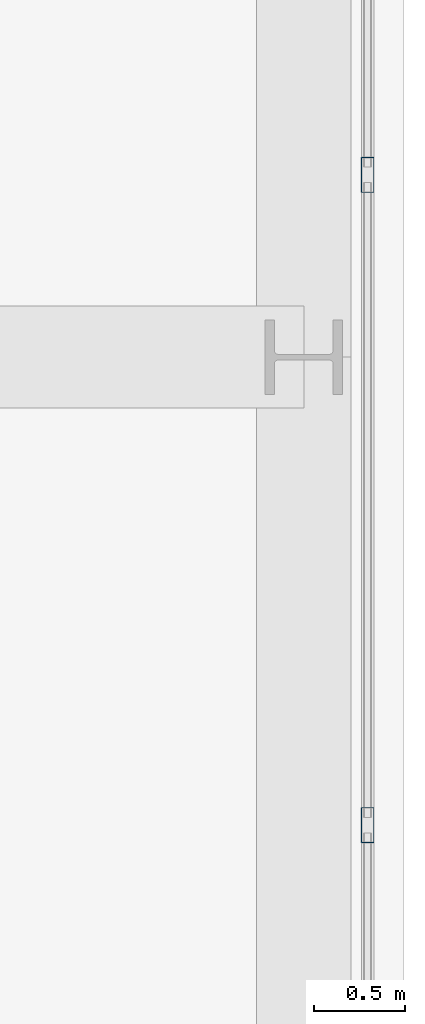
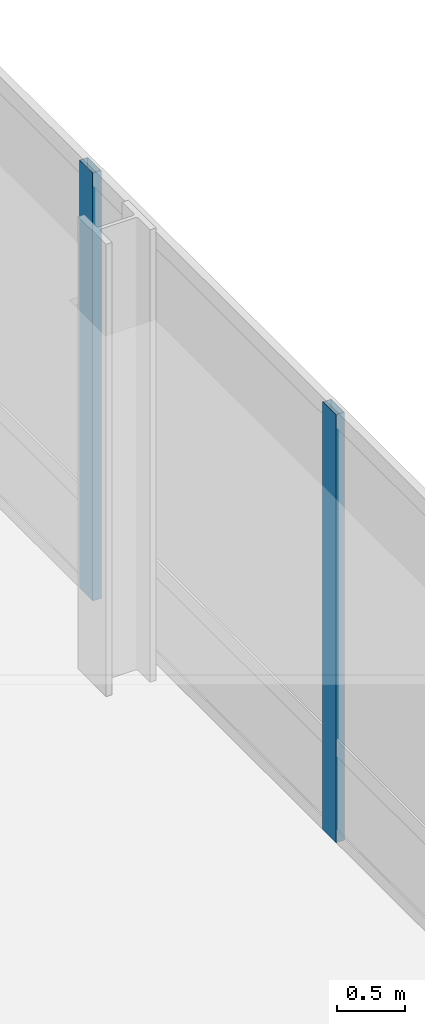
# One storey, part 17 of 36: 2 members, 1 element without a shape of its own.
"""IFC4 building model written with IfcOpenShell, lengths in metres."""

import ifcopenshell
import ifcopenshell.guid

model = None  # the IFC model being written
_history = None  # IfcOwnerHistory: only IFC2X3 demands one
_inside = {}  # id of a spatial element -> (the spatial element, [elements in it])
_under = {}  # id of a project, library or spatial element -> (it, [spatial elements below it])
_declared = {}  # id of a project -> (the project, [libraries it declares])
_typed = {}  # id of a type object -> (the type object, [elements of that type])
_made_of = {}  # id of a material, layer set ... -> (it, [elements and type objects made of it])


def new_model(schema):
    """Start an empty IFC model of exactly this schema.

    Asked for "IFC4X3", IfcOpenShell would pick the latest addendum, in which some entities
    have other attributes; the version numbers below select the first issue.
    IFC2X3 requires an IfcOwnerHistory on every rooted entity: one is made here for all.
    """
    global model, _history
    if schema == "IFC4X3":
        model = ifcopenshell.file(schema_version=(4, 3, 0, 0))
    else:
        model = ifcopenshell.file(schema=schema)
    _inside.clear()
    _under.clear()
    _declared.clear()
    _typed.clear()
    _made_of.clear()
    _history = None
    if model.schema == "IFC2X3":
        org = make("IfcOrganization", Name="unknown")
        user = make(
            "IfcPersonAndOrganization",
            ThePerson=make("IfcPerson", FamilyName="unknown"),
            TheOrganization=org,
        )
        app = make(
            "IfcApplication",
            ApplicationDeveloper=org,
            Version="unknown",
            ApplicationFullName="unknown",
            ApplicationIdentifier="unknown",
        )
        _history = make(
            "IfcOwnerHistory",
            OwningUser=user,
            OwningApplication=app,
            ChangeAction="ADDED",
            CreationDate=0,
        )
    return model


def make(cls, **values):
    """One entity of the class cls with the attributes given. An attribute that is None is left unset."""
    return model.create_entity(
        cls, **{name: value for name, value in values.items() if value is not None}
    )


def rooted(cls, **values):
    """An entity with a GlobalId (a new one), such as an element, a storey or a relation."""
    return make(cls, GlobalId=ifcopenshell.guid.new(), OwnerHistory=_history, **values)


def si_unit(unit_type, name, prefix=None):
    """IfcSIUnit, for example si_unit("LENGTHUNIT", "METRE", prefix="MILLI")."""
    return make("IfcSIUnit", UnitType=unit_type, Prefix=prefix, Name=name)


def assignment(units):
    """IfcUnitAssignment: the units of a project."""
    return None if units is None else make("IfcUnitAssignment", Units=units)


def point(xyz):
    """IfcCartesianPoint."""
    return None if xyz is None else make("IfcCartesianPoint", Coordinates=xyz)


def direction(xyz):
    """IfcDirection."""
    return None if xyz is None else make("IfcDirection", DirectionRatios=xyz)


def frame(location, z_axis=None, x_axis=None):
    """IfcAxis2Placement3D, a coordinate frame: its origin and axes. An axis left out is left unset."""
    return make(
        "IfcAxis2Placement3D",
        Location=point(location),
        Axis=direction(z_axis),
        RefDirection=direction(x_axis),
    )


def frame_2d(location, x_axis=None):
    """IfcAxis2Placement2D, a coordinate frame in the plane: its origin and x axis."""
    return make(
        "IfcAxis2Placement2D", Location=point(location), RefDirection=direction(x_axis)
    )


def origin():
    """The frame at (0, 0, 0) with its axes left unset."""
    return frame((0.0, 0.0, 0.0))


def origin_2d():
    """The frame at (0, 0) in the plane with its x axis left unset."""
    return frame_2d((0.0, 0.0))


def place(relative_to, where):
    """IfcLocalPlacement: puts the frame where relative to a parent placement (None: the world)."""
    return make(
        "IfcLocalPlacement", PlacementRelTo=relative_to, RelativePlacement=where
    )


def context(
    kind, dimensions, precision=None, world=None, true_north=None, identifier=None
):
    """IfcGeometricRepresentationContext, for example the 3D "Model" context."""
    return make(
        "IfcGeometricRepresentationContext",
        ContextIdentifier=identifier,
        ContextType=kind,
        CoordinateSpaceDimension=dimensions,
        Precision=precision,
        WorldCoordinateSystem=world,
        TrueNorth=true_north,
    )


def subcontext(parent, identifier, kind, view, scale=None):
    """IfcGeometricRepresentationSubContext, for example "Body" below "Model"."""
    return make(
        "IfcGeometricRepresentationSubContext",
        ContextIdentifier=identifier,
        ContextType=kind,
        ParentContext=parent,
        TargetScale=scale,
        TargetView=view,
    )


def project(units=None, contexts=None):
    """IfcProject with its units and contexts."""
    return rooted(
        "IfcProject",
        Name="project",
        RepresentationContexts=contexts,
        UnitsInContext=assignment(units),
    )


def spatial(cls, under=None, at=None, **own):
    """A site, building, storey or space (cls), placed at a placement, below another one or the project."""
    s = rooted(cls, ObjectPlacement=at, **own)
    if under is not None:
        _under.setdefault(under.id(), (under, []))[1].append(s)
    return s


def profile(cls, at=None, kind="AREA", **sizes):
    """A parametric profile (cls). Its sizes go by their IFC names, for example OverallWidth=200.0."""
    return make(cls, ProfileType=kind, Position=at, **sizes)


def hollow_rectangle(**sizes):
    """IfcRectangleHollowProfileDef."""
    return profile("IfcRectangleHollowProfileDef", **sizes)


def extrude(swept, where, along, depth):
    """IfcExtrudedAreaSolid: the profile swept, set in the frame where, extruded along a direction by depth."""
    return make(
        "IfcExtrudedAreaSolid",
        SweptArea=swept,
        Position=where,
        ExtrudedDirection=direction(along),
        Depth=depth,
    )


def shape(context_of_items, identifier, shape_type, items):
    """IfcShapeRepresentation: the items that make up one representation, for example the "Body"."""
    return make(
        "IfcShapeRepresentation",
        ContextOfItems=context_of_items,
        RepresentationIdentifier=identifier,
        RepresentationType=shape_type,
        Items=items,
    )


def material(Name=None, Category=None):
    """IfcMaterial."""
    return make("IfcMaterial", Name=Name, Category=Category)


def material_profile(
    of_material, cross_section, Name=None, Category=None, Priority=None
):
    """IfcMaterialProfile: a cross section and its material."""
    return make(
        "IfcMaterialProfile",
        Name=Name,
        Material=of_material,
        Profile=cross_section,
        Priority=Priority,
        Category=Category,
    )


def profile_set(profiles, Name=None, composite=None):
    """IfcMaterialProfileSet."""
    return make(
        "IfcMaterialProfileSet",
        Name=Name,
        MaterialProfiles=profiles,
        CompositeProfile=composite,
    )


def made_of(thing, what):
    """Note that an element or type object is made of a material, layer set ...; save() writes the relation."""
    if what is not None:
        _made_of.setdefault(what.id(), (what, []))[1].append(thing)
    return thing


def type_object(cls, material=None, **own):
    """A type object (cls), such as IfcWallType, which elements share."""
    return made_of(rooted(cls, **own), material)


def element(
    cls,
    number,
    at=None,
    inside=None,
    cuts=None,
    type_object=None,
    material=None,
    context=None,
    identifier="Body",
    shape_type=None,
    held_by="IfcProductDefinitionShape",
    body=None,
    shapes=None,
    **own,
):
    """One element of the class cls, such as IfcWall. Its Tag is "e" and its number.

    at: its placement. inside: the storey or other place that contains it. cuts: it is an
    opening in that element (IfcRelVoidsElement). A single representation is given by context,
    identifier, shape_type and body (its items); several are given by shapes. held_by: the class
    of the entity that holds the representations. save() writes the other relations.
    """
    e = rooted(cls, Tag="e%d" % number, ObjectPlacement=at, **own)
    if body is not None:
        shapes = [shape(context, identifier, shape_type, body)]
    if shapes is not None:
        e.Representation = make(held_by, Representations=shapes)
    if inside is not None:
        _inside.setdefault(inside.id(), (inside, []))[1].append(e)
    if cuts is not None:
        rooted(
            "IfcRelVoidsElement", RelatingBuildingElement=cuts, RelatedOpeningElement=e
        )
    if type_object is not None:
        _typed.setdefault(type_object.id(), (type_object, []))[1].append(e)
    return made_of(e, material)


def aggregate(whole, parts):
    """IfcRelAggregates: a whole, such as a stair, and the parts it consists of."""
    return rooted("IfcRelAggregates", RelatingObject=whole, RelatedObjects=parts)


def save(model, path):
    """Write the relations noted so far, then the file.

    IfcRelAggregates (storeys below a building ...), IfcRelContainedInSpatialStructure (elements
    in a storey), IfcRelDefinesByType, IfcRelAssociatesMaterial and IfcRelDeclares: one each for
    every whole, place, type object, material and project.
    """
    for whole, parts in _under.values():
        aggregate(whole, parts)
    for where, things in _inside.values():
        rooted(
            "IfcRelContainedInSpatialStructure",
            RelatedElements=things,
            RelatingStructure=where,
        )
    for kind, things in _typed.values():
        rooted("IfcRelDefinesByType", RelatedObjects=things, RelatingType=kind)
    for what, things in _made_of.values():
        rooted("IfcRelAssociatesMaterial", RelatedObjects=things, RelatingMaterial=what)
    for by, libraries in _declared.values():
        rooted("IfcRelDeclares", RelatingContext=by, RelatedDefinitions=libraries)
    model.write(path)


model = new_model("IFC4")

# Units and contexts
model_context = context("Model", 3, precision=1e-05, world=origin(), true_north=direction((0.0, 1.0)))
body_context = subcontext(model_context, "Body", "Model", "MODEL_VIEW")
ifc_project = project(units=[si_unit("LENGTHUNIT", "METRE"), si_unit("AREAUNIT", "SQUARE_METRE"), si_unit("VOLUMEUNIT", "CUBIC_METRE"), si_unit("PLANEANGLEUNIT", "RADIAN"), si_unit("MASSUNIT", "GRAM", prefix="KILO")], contexts=[model_context])

# Site, building, storey
site_placement = place(None, origin())
site = spatial("IfcSite", under=ifc_project, at=site_placement, CompositionType="ELEMENT")
building_placement = place(site_placement, origin())
building = spatial("IfcBuilding", under=site, at=building_placement, Name="Punatoya Terracotta Tower", CompositionType="ELEMENT")
storey_placement = place(building_placement, frame((0.0, 0.0, 212.699951171875)))
storey = spatial("IfcBuildingStorey", under=building, at=storey_placement, Name="L50", CompositionType="ELEMENT", Elevation=212.699951171875)

# Curtain wall, members
ifc_material_1 = material(Name="Aluminium 6063-T6 + Double Low-E Glass", Category="aluminium")
curtain_wall_type = type_object("IfcCurtainWallType", Name="CW-M2", PredefinedType="NOTDEFINED", material=ifc_material_1)
curtain_wall_placement = place(storey_placement, origin())
curtain_wall = element("IfcCurtainWall", 1, at=curtain_wall_placement, inside=storey, type_object=curtain_wall_type, Name="L50 Curtain Wall CW-L50-E05-1", PredefinedType="NOTDEFINED")
ifc_material_2 = material(Name="Aluminium 6063-T6", Category="aluminium")
ifc_material_profile = material_profile(ifc_material_2, hollow_rectangle(XDim=0.072021484375, YDim=0.195068359375, WallThickness=0.00439453125, at=origin_2d()))
ifc_profile_set = profile_set([ifc_material_profile], Name="Aluminium 6063-T6")
member_type = type_object("IfcMemberType", Name="CW-MUL-M2", PredefinedType="MULLION", material=ifc_profile_set)
member_1_placement = place(storey_placement, frame((24.85009765625, -5.96728515625, 0.0), z_axis=(0.0, 0.0, 1.0), x_axis=(1.0, 0.0, 0.0)))
member_1 = element("IfcMember", 2, at=member_1_placement, type_object=member_type, Name="CW-L50-E05-1 Mullion 04", PredefinedType="MULLION", context=body_context, shape_type="SweptSolid", body=[
    extrude(hollow_rectangle(XDim=0.072021484375, YDim=0.195068359375, WallThickness=0.00439453125, at=origin_2d()), origin(), (0.0, 0.0, 1.0), 3.830078125),
])
member_2_placement = place(storey_placement, frame((24.85009765625, -2.39990234375, 0.0), z_axis=(0.0, 0.0, 1.0), x_axis=(1.0, 0.0, 0.0)))
member_2 = element("IfcMember", 3, at=member_2_placement, type_object=member_type, Name="CW-L50-E05-1 Mullion 05", PredefinedType="MULLION", context=body_context, shape_type="SweptSolid", body=[
    extrude(hollow_rectangle(XDim=0.072021484375, YDim=0.195068359375, WallThickness=0.00439453125, at=origin_2d()), origin(), (0.0, 0.0, 1.0), 3.830078125),
])
aggregate(curtain_wall, [member_1, member_2])

save(model, "model.ifc")
